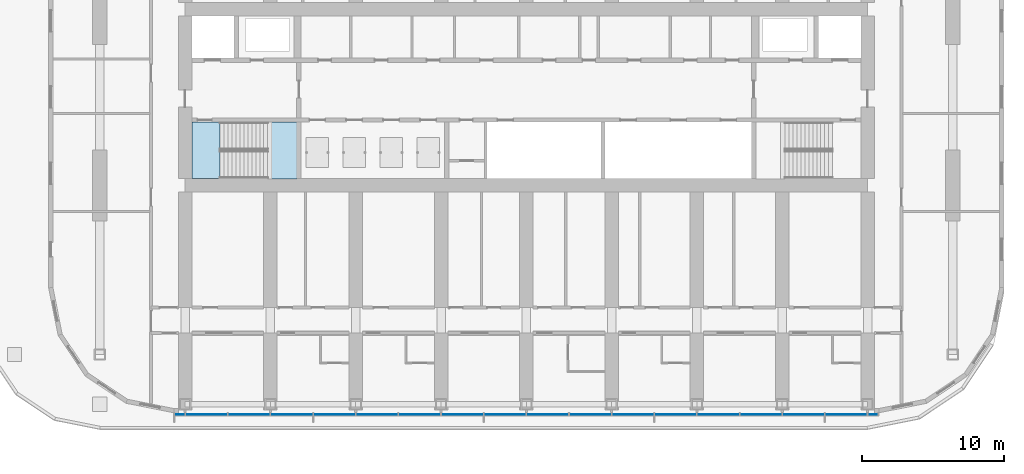
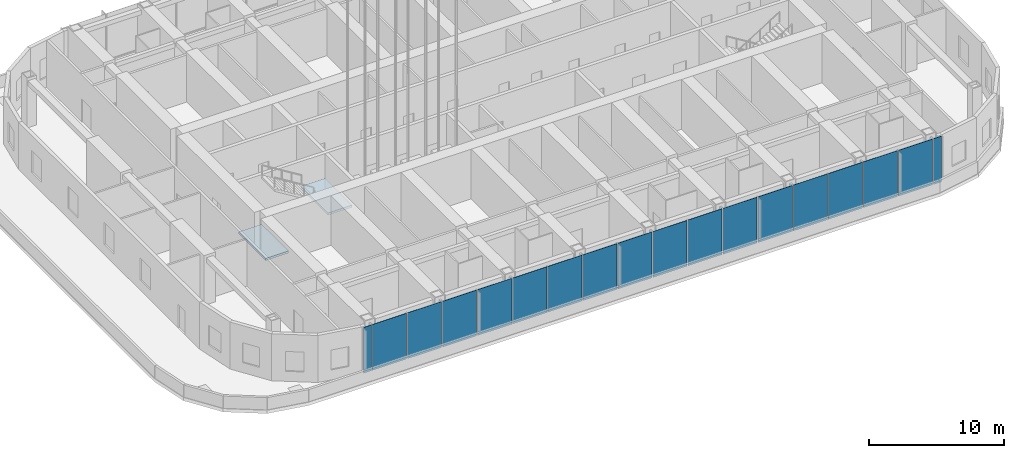
# One storey, part 7 of 32: 18 plates, 2 slabs, 2 elements without a shape of their own.
"""IFC4 building model written with IfcOpenShell, lengths in metres."""

from ifc_helpers import new_model, si_unit, direction, frame, origin, origin_2d, place, context, subcontext, project, spatial, polyline, rectangle, outline, extrude, material, layer, layer_set, type_object, element, aggregate, save


model = new_model("IFC4")

# Units and contexts
model_context = context("Model", 3, precision=1e-05, world=origin(), true_north=direction((0.0, 1.0)))
body_context = subcontext(model_context, "Body", "Model", "MODEL_VIEW")
ifc_project = project(units=[si_unit("LENGTHUNIT", "METRE"), si_unit("AREAUNIT", "SQUARE_METRE"), si_unit("VOLUMEUNIT", "CUBIC_METRE"), si_unit("PLANEANGLEUNIT", "RADIAN"), si_unit("MASSUNIT", "GRAM", prefix="KILO")], contexts=[model_context])

# Site, building, storey
site_placement = place(None, origin())
site = spatial("IfcSite", under=ifc_project, at=site_placement, CompositionType="ELEMENT")
building_placement = place(site_placement, origin())
building = spatial("IfcBuilding", under=site, at=building_placement, Name="Orbita Commons", CompositionType="ELEMENT")
storey_placement = place(building_placement, frame((0.0, 0.0, 140.35009765625)))
storey = spatial("IfcBuildingStorey", under=building, at=storey_placement, Name="L34", CompositionType="ELEMENT", Elevation=140.35009765625)

# Stair, slabs
ifc_material_1 = material(Name="Precast concrete C40/50", Category="concrete")
stair_type = type_object("IfcStairType", Name="Exit stair S1 2 flights 13 risers 173", PredefinedType="HALF_TURN_STAIR", material=ifc_material_1)
stair_placement = place(storey_placement, origin())
stair = element("IfcStair", 1, at=stair_placement, inside=storey, type_object=stair_type, Name="Exit stair S1 L34", PredefinedType="HALF_TURN_STAIR")
ifc_material_2 = material(Name="Concrete C40/50", Category="concrete")
ifc_layer_1 = layer(ifc_material_2, 0.199951171875)
ifc_layer_set_1 = layer_set([ifc_layer_1], Name="Concrete C40/50")
slab_type = type_object("IfcSlabType", Name="Stair landing 200", PredefinedType="LANDING", material=ifc_layer_set_1)
slab_1_placement = place(storey_placement, frame((0.0, 0.0, -0.2001953125)))
slab_1 = element("IfcSlab", 2, at=slab_1_placement, type_object=slab_type, Name="S1 landing 1", PredefinedType="LANDING", context=body_context, shape_type="SweptSolid", body=[
    extrude(outline(polyline([(18.47509765625, 26.27490234375), (20.449951171875, 26.27490234375), (20.449951171875, 30.25), (18.47509765625, 30.25), (18.47509765625, 26.27490234375)])), origin(), (0.0, 0.0, 1.0), 0.2001953125),
])
slab_2_placement = place(storey_placement, frame((0.0, 0.0, 2.0498046875)))
slab_2 = element("IfcSlab", 3, at=slab_2_placement, type_object=slab_type, Name="S1 landing 2", PredefinedType="LANDING", context=body_context, shape_type="SweptSolid", body=[
    extrude(outline(polyline([(23.81005859375, 26.260009765625), (25.864990234375, 26.260009765625), (25.864990234375, 30.264892578125), (23.81005859375, 30.264892578125), (23.81005859375, 26.260009765625)])), origin(), (0.0, 0.0, 1.0), 0.2001953125),
])
aggregate(stair, [slab_1, slab_2])

# Curtain wall, plates
ifc_material_3 = material(Name="Anodised aluminium frame, pale silver", Category="aluminium")
curtain_wall_type = type_object("IfcCurtainWallType", Name="Unitised curtain wall CW-S, full-height", PredefinedType="NOTDEFINED", material=ifc_material_3)
curtain_wall_placement = place(storey_placement, origin())
curtain_wall = element("IfcCurtainWall", 4, at=curtain_wall_placement, inside=storey, type_object=curtain_wall_type, Name="Curtain wall south L34", PredefinedType="NOTDEFINED")
ifc_material_4 = material(Name="Low-iron glass", Category="glass")
ifc_layer_2 = layer(ifc_material_4, 0.031982421875)
ifc_layer_set_2 = layer_set([ifc_layer_2], Name="Low-iron glass")
plate_type = type_object("IfcPlateType", Name="Vision panel, clear low-iron glazing 32", PredefinedType="CURTAIN_PANEL", material=ifc_layer_set_2)
plate_1_placement = place(storey_placement, frame((17.6201171875, 9.68994140625, 0.099853515625), z_axis=(0.0, 0.0, 1.0), x_axis=(1.0, 0.0, 0.0)))
plate_1 = element("IfcPlate", 5, at=plate_1_placement, type_object=plate_type, Name="Panel 1.1 CW-L34-S", PredefinedType="CURTAIN_PANEL", context=body_context, shape_type="SweptSolid", body=[
    extrude(rectangle(XDim=0.679931640625, YDim=0.031982421875, at=origin_2d()), origin(), (0.0, 0.0, 1.0), 4.14990234375),
])
plate_2_placement = place(storey_placement, frame((19.5, 9.68994140625, 0.099853515625), z_axis=(0.0, 0.0, 1.0), x_axis=(1.0, 0.0, 0.0)))
plate_2 = element("IfcPlate", 6, at=plate_2_placement, type_object=plate_type, Name="Panel 2.1 CW-L34-S", PredefinedType="CURTAIN_PANEL", context=body_context, shape_type="SweptSolid", body=[
    extrude(rectangle(XDim=2.919921875, YDim=0.031982421875, at=origin_2d()), origin(), (0.0, 0.0, 1.0), 4.14990234375),
])
plate_3_placement = place(storey_placement, frame((22.5, 9.68994140625, 0.099853515625), z_axis=(0.0, 0.0, 1.0), x_axis=(1.0, 0.0, 0.0)))
plate_3 = element("IfcPlate", 7, at=plate_3_placement, type_object=plate_type, Name="Panel 3.1 CW-L34-S", PredefinedType="CURTAIN_PANEL", context=body_context, shape_type="SweptSolid", body=[
    extrude(rectangle(XDim=2.919921875, YDim=0.031982421875, at=origin_2d()), origin(), (0.0, 0.0, 1.0), 4.14990234375),
])
plate_4_placement = place(storey_placement, frame((25.5, 9.68994140625, 0.099853515625), z_axis=(0.0, 0.0, 1.0), x_axis=(1.0, 0.0, 0.0)))
plate_4 = element("IfcPlate", 8, at=plate_4_placement, type_object=plate_type, Name="Panel 4.1 CW-L34-S", PredefinedType="CURTAIN_PANEL", context=body_context, shape_type="SweptSolid", body=[
    extrude(rectangle(XDim=2.919921875, YDim=0.031982421875, at=origin_2d()), origin(), (0.0, 0.0, 1.0), 4.14990234375),
])
plate_5_placement = place(storey_placement, frame((28.5, 9.68994140625, 0.099853515625), z_axis=(0.0, 0.0, 1.0), x_axis=(1.0, 0.0, 0.0)))
plate_5 = element("IfcPlate", 9, at=plate_5_placement, type_object=plate_type, Name="Panel 5.1 CW-L34-S", PredefinedType="CURTAIN_PANEL", context=body_context, shape_type="SweptSolid", body=[
    extrude(rectangle(XDim=2.919921875, YDim=0.031982421875, at=origin_2d()), origin(), (0.0, 0.0, 1.0), 4.14990234375),
])
plate_6_placement = place(storey_placement, frame((31.5, 9.68994140625, 0.099853515625), z_axis=(0.0, 0.0, 1.0), x_axis=(1.0, 0.0, 0.0)))
plate_6 = element("IfcPlate", 10, at=plate_6_placement, type_object=plate_type, Name="Panel 6.1 CW-L34-S", PredefinedType="CURTAIN_PANEL", context=body_context, shape_type="SweptSolid", body=[
    extrude(rectangle(XDim=2.919921875, YDim=0.031982421875, at=origin_2d()), origin(), (0.0, 0.0, 1.0), 4.14990234375),
])
plate_7_placement = place(storey_placement, frame((34.5, 9.68994140625, 0.099853515625), z_axis=(0.0, 0.0, 1.0), x_axis=(1.0, 0.0, 0.0)))
plate_7 = element("IfcPlate", 11, at=plate_7_placement, type_object=plate_type, Name="Panel 7.1 CW-L34-S", PredefinedType="CURTAIN_PANEL", context=body_context, shape_type="SweptSolid", body=[
    extrude(rectangle(XDim=2.919921875, YDim=0.031982421875, at=origin_2d()), origin(), (0.0, 0.0, 1.0), 4.14990234375),
])
plate_8_placement = place(storey_placement, frame((37.5, 9.68994140625, 0.099853515625), z_axis=(0.0, 0.0, 1.0), x_axis=(1.0, 0.0, 0.0)))
plate_8 = element("IfcPlate", 12, at=plate_8_placement, type_object=plate_type, Name="Panel 8.1 CW-L34-S", PredefinedType="CURTAIN_PANEL", context=body_context, shape_type="SweptSolid", body=[
    extrude(rectangle(XDim=2.919921875, YDim=0.031982421875, at=origin_2d()), origin(), (0.0, 0.0, 1.0), 4.14990234375),
])
plate_9_placement = place(storey_placement, frame((40.5, 9.68994140625, 0.099853515625), z_axis=(0.0, 0.0, 1.0), x_axis=(1.0, 0.0, 0.0)))
plate_9 = element("IfcPlate", 13, at=plate_9_placement, type_object=plate_type, Name="Panel 9.1 CW-L34-S", PredefinedType="CURTAIN_PANEL", context=body_context, shape_type="SweptSolid", body=[
    extrude(rectangle(XDim=2.919921875, YDim=0.031982421875, at=origin_2d()), origin(), (0.0, 0.0, 1.0), 4.14990234375),
])
plate_10_placement = place(storey_placement, frame((43.5, 9.68994140625, 0.099853515625), z_axis=(0.0, 0.0, 1.0), x_axis=(1.0, 0.0, 0.0)))
plate_10 = element("IfcPlate", 14, at=plate_10_placement, type_object=plate_type, Name="Panel 10.1 CW-L34-S", PredefinedType="CURTAIN_PANEL", context=body_context, shape_type="SweptSolid", body=[
    extrude(rectangle(XDim=2.919921875, YDim=0.031982421875, at=origin_2d()), origin(), (0.0, 0.0, 1.0), 4.14990234375),
])
plate_11_placement = place(storey_placement, frame((46.5, 9.68994140625, 0.099853515625), z_axis=(0.0, 0.0, 1.0), x_axis=(1.0, 0.0, 0.0)))
plate_11 = element("IfcPlate", 15, at=plate_11_placement, type_object=plate_type, Name="Panel 11.1 CW-L34-S", PredefinedType="CURTAIN_PANEL", context=body_context, shape_type="SweptSolid", body=[
    extrude(rectangle(XDim=2.919921875, YDim=0.031982421875, at=origin_2d()), origin(), (0.0, 0.0, 1.0), 4.14990234375),
])
plate_12_placement = place(storey_placement, frame((49.5, 9.68994140625, 0.099853515625), z_axis=(0.0, 0.0, 1.0), x_axis=(1.0, 0.0, 0.0)))
plate_12 = element("IfcPlate", 16, at=plate_12_placement, type_object=plate_type, Name="Panel 12.1 CW-L34-S", PredefinedType="CURTAIN_PANEL", context=body_context, shape_type="SweptSolid", body=[
    extrude(rectangle(XDim=2.919921875, YDim=0.031982421875, at=origin_2d()), origin(), (0.0, 0.0, 1.0), 4.14990234375),
])
plate_13_placement = place(storey_placement, frame((52.5, 9.68994140625, 0.099853515625), z_axis=(0.0, 0.0, 1.0), x_axis=(1.0, 0.0, 0.0)))
plate_13 = element("IfcPlate", 17, at=plate_13_placement, type_object=plate_type, Name="Panel 13.1 CW-L34-S", PredefinedType="CURTAIN_PANEL", context=body_context, shape_type="SweptSolid", body=[
    extrude(rectangle(XDim=2.919921875, YDim=0.031982421875, at=origin_2d()), origin(), (0.0, 0.0, 1.0), 4.14990234375),
])
plate_14_placement = place(storey_placement, frame((55.5, 9.68994140625, 0.099853515625), z_axis=(0.0, 0.0, 1.0), x_axis=(1.0, 0.0, 0.0)))
plate_14 = element("IfcPlate", 18, at=plate_14_placement, type_object=plate_type, Name="Panel 14.1 CW-L34-S", PredefinedType="CURTAIN_PANEL", context=body_context, shape_type="SweptSolid", body=[
    extrude(rectangle(XDim=2.919921875, YDim=0.031982421875, at=origin_2d()), origin(), (0.0, 0.0, 1.0), 4.14990234375),
])
plate_15_placement = place(storey_placement, frame((58.5, 9.68994140625, 0.099853515625), z_axis=(0.0, 0.0, 1.0), x_axis=(1.0, 0.0, 0.0)))
plate_15 = element("IfcPlate", 19, at=plate_15_placement, type_object=plate_type, Name="Panel 15.1 CW-L34-S", PredefinedType="CURTAIN_PANEL", context=body_context, shape_type="SweptSolid", body=[
    extrude(rectangle(XDim=2.919921875, YDim=0.031982421875, at=origin_2d()), origin(), (0.0, 0.0, 1.0), 4.14990234375),
])
plate_16_placement = place(storey_placement, frame((61.5, 9.68994140625, 0.099853515625), z_axis=(0.0, 0.0, 1.0), x_axis=(1.0, 0.0, 0.0)))
plate_16 = element("IfcPlate", 20, at=plate_16_placement, type_object=plate_type, Name="Panel 16.1 CW-L34-S", PredefinedType="CURTAIN_PANEL", context=body_context, shape_type="SweptSolid", body=[
    extrude(rectangle(XDim=2.919921875, YDim=0.031982421875, at=origin_2d()), origin(), (0.0, 0.0, 1.0), 4.14990234375),
])
plate_17_placement = place(storey_placement, frame((64.5, 9.68994140625, 0.099853515625), z_axis=(0.0, 0.0, 1.0), x_axis=(1.0, 0.0, 0.0)))
plate_17 = element("IfcPlate", 21, at=plate_17_placement, type_object=plate_type, Name="Panel 17.1 CW-L34-S", PredefinedType="CURTAIN_PANEL", context=body_context, shape_type="SweptSolid", body=[
    extrude(rectangle(XDim=2.919921875, YDim=0.031982421875, at=origin_2d()), origin(), (0.0, 0.0, 1.0), 4.14990234375),
])
plate_18_placement = place(storey_placement, frame((66.3798828125, 9.68994140625, 0.099853515625), z_axis=(0.0, 0.0, 1.0), x_axis=(1.0, 0.0, 0.0)))
plate_18 = element("IfcPlate", 22, at=plate_18_placement, type_object=plate_type, Name="Panel 18.1 CW-L34-S", PredefinedType="CURTAIN_PANEL", context=body_context, shape_type="SweptSolid", body=[
    extrude(rectangle(XDim=0.679931640625, YDim=0.031982421875, at=origin_2d()), origin(), (0.0, 0.0, 1.0), 4.14990234375),
])
aggregate(curtain_wall, [plate_1, plate_2, plate_3, plate_4, plate_5, plate_6, plate_7, plate_8, plate_9, plate_10, plate_11, plate_12, plate_13, plate_14, plate_15, plate_16, plate_17, plate_18])

save(model, "model.ifc")
